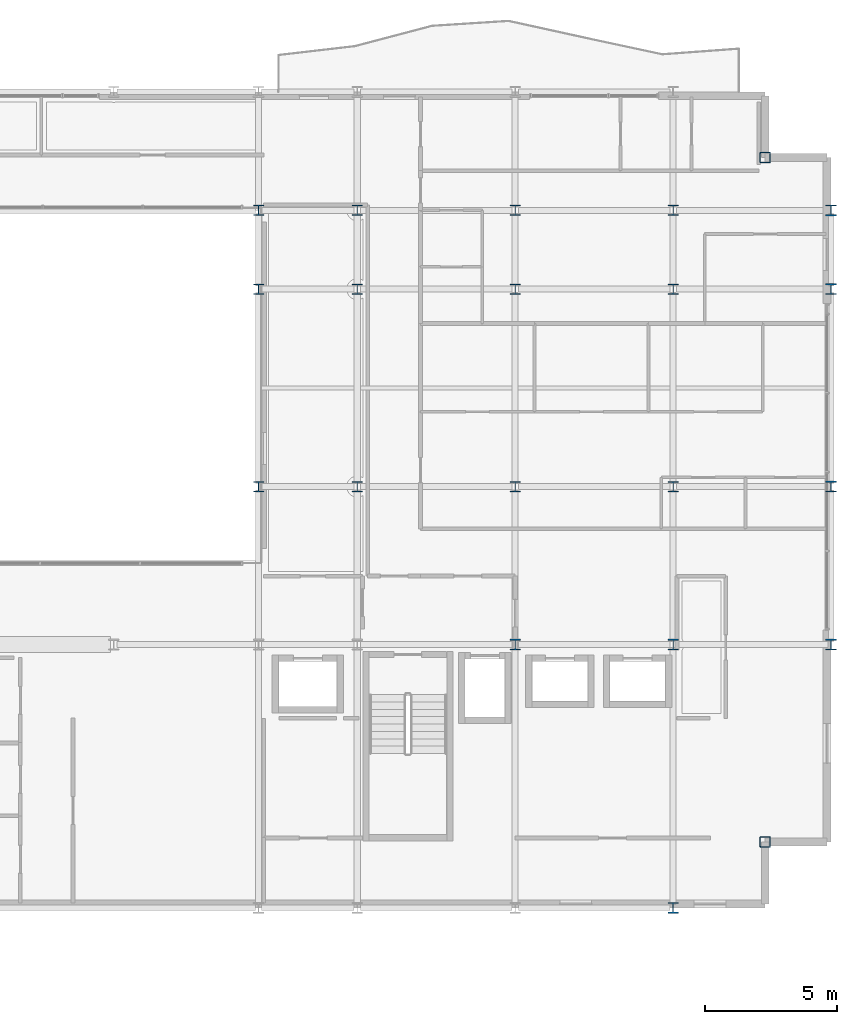
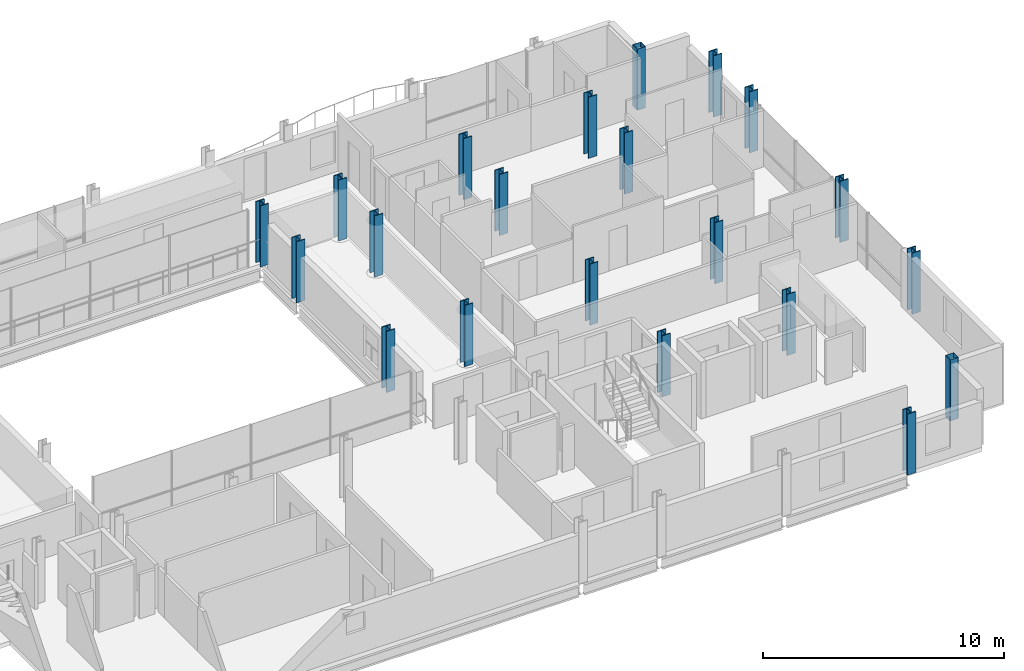
# One storey, part 2 of 41: 21 columns.
"""IFC4 building model written with IfcOpenShell, lengths in metres."""

import ifcopenshell
import ifcopenshell.guid

model = None  # the IFC model being written
_history = None  # IfcOwnerHistory: only IFC2X3 demands one
_inside = {}  # id of a spatial element -> (the spatial element, [elements in it])
_under = {}  # id of a project, library or spatial element -> (it, [spatial elements below it])
_declared = {}  # id of a project -> (the project, [libraries it declares])
_typed = {}  # id of a type object -> (the type object, [elements of that type])
_made_of = {}  # id of a material, layer set ... -> (it, [elements and type objects made of it])


def new_model(schema):
    """Start an empty IFC model of exactly this schema.

    Asked for "IFC4X3", IfcOpenShell would pick the latest addendum, in which some entities
    have other attributes; the version numbers below select the first issue.
    IFC2X3 requires an IfcOwnerHistory on every rooted entity: one is made here for all.
    """
    global model, _history
    if schema == "IFC4X3":
        model = ifcopenshell.file(schema_version=(4, 3, 0, 0))
    else:
        model = ifcopenshell.file(schema=schema)
    _inside.clear()
    _under.clear()
    _declared.clear()
    _typed.clear()
    _made_of.clear()
    _history = None
    if model.schema == "IFC2X3":
        org = make("IfcOrganization", Name="unknown")
        user = make(
            "IfcPersonAndOrganization",
            ThePerson=make("IfcPerson", FamilyName="unknown"),
            TheOrganization=org,
        )
        app = make(
            "IfcApplication",
            ApplicationDeveloper=org,
            Version="unknown",
            ApplicationFullName="unknown",
            ApplicationIdentifier="unknown",
        )
        _history = make(
            "IfcOwnerHistory",
            OwningUser=user,
            OwningApplication=app,
            ChangeAction="ADDED",
            CreationDate=0,
        )
    return model


def make(cls, **values):
    """One entity of the class cls with the attributes given. An attribute that is None is left unset."""
    return model.create_entity(
        cls, **{name: value for name, value in values.items() if value is not None}
    )


def rooted(cls, **values):
    """An entity with a GlobalId (a new one), such as an element, a storey or a relation."""
    return make(cls, GlobalId=ifcopenshell.guid.new(), OwnerHistory=_history, **values)


def si_unit(unit_type, name, prefix=None):
    """IfcSIUnit, for example si_unit("LENGTHUNIT", "METRE", prefix="MILLI")."""
    return make("IfcSIUnit", UnitType=unit_type, Prefix=prefix, Name=name)


def assignment(units):
    """IfcUnitAssignment: the units of a project."""
    return None if units is None else make("IfcUnitAssignment", Units=units)


def point(xyz):
    """IfcCartesianPoint."""
    return None if xyz is None else make("IfcCartesianPoint", Coordinates=xyz)


def direction(xyz):
    """IfcDirection."""
    return None if xyz is None else make("IfcDirection", DirectionRatios=xyz)


def frame(location, z_axis=None, x_axis=None):
    """IfcAxis2Placement3D, a coordinate frame: its origin and axes. An axis left out is left unset."""
    return make(
        "IfcAxis2Placement3D",
        Location=point(location),
        Axis=direction(z_axis),
        RefDirection=direction(x_axis),
    )


def frame_2d(location, x_axis=None):
    """IfcAxis2Placement2D, a coordinate frame in the plane: its origin and x axis."""
    return make(
        "IfcAxis2Placement2D", Location=point(location), RefDirection=direction(x_axis)
    )


def origin():
    """The frame at (0, 0, 0) with its axes left unset."""
    return frame((0.0, 0.0, 0.0))


def origin_2d():
    """The frame at (0, 0) in the plane with its x axis left unset."""
    return frame_2d((0.0, 0.0))


def place(relative_to, where):
    """IfcLocalPlacement: puts the frame where relative to a parent placement (None: the world)."""
    return make(
        "IfcLocalPlacement", PlacementRelTo=relative_to, RelativePlacement=where
    )


def context(
    kind, dimensions, precision=None, world=None, true_north=None, identifier=None
):
    """IfcGeometricRepresentationContext, for example the 3D "Model" context."""
    return make(
        "IfcGeometricRepresentationContext",
        ContextIdentifier=identifier,
        ContextType=kind,
        CoordinateSpaceDimension=dimensions,
        Precision=precision,
        WorldCoordinateSystem=world,
        TrueNorth=true_north,
    )


def subcontext(parent, identifier, kind, view, scale=None):
    """IfcGeometricRepresentationSubContext, for example "Body" below "Model"."""
    return make(
        "IfcGeometricRepresentationSubContext",
        ContextIdentifier=identifier,
        ContextType=kind,
        ParentContext=parent,
        TargetScale=scale,
        TargetView=view,
    )


def project(units=None, contexts=None):
    """IfcProject with its units and contexts."""
    return rooted(
        "IfcProject",
        Name="project",
        RepresentationContexts=contexts,
        UnitsInContext=assignment(units),
    )


def spatial(cls, under=None, at=None, **own):
    """A site, building, storey or space (cls), placed at a placement, below another one or the project."""
    s = rooted(cls, ObjectPlacement=at, **own)
    if under is not None:
        _under.setdefault(under.id(), (under, []))[1].append(s)
    return s


def profile(cls, at=None, kind="AREA", **sizes):
    """A parametric profile (cls). Its sizes go by their IFC names, for example OverallWidth=200.0."""
    return make(cls, ProfileType=kind, Position=at, **sizes)


def hollow_rectangle(**sizes):
    """IfcRectangleHollowProfileDef."""
    return profile("IfcRectangleHollowProfileDef", **sizes)


def i_section(**sizes):
    """IfcIShapeProfileDef."""
    return profile("IfcIShapeProfileDef", **sizes)


def extrude(swept, where, along, depth):
    """IfcExtrudedAreaSolid: the profile swept, set in the frame where, extruded along a direction by depth."""
    return make(
        "IfcExtrudedAreaSolid",
        SweptArea=swept,
        Position=where,
        ExtrudedDirection=direction(along),
        Depth=depth,
    )


def shape(context_of_items, identifier, shape_type, items):
    """IfcShapeRepresentation: the items that make up one representation, for example the "Body"."""
    return make(
        "IfcShapeRepresentation",
        ContextOfItems=context_of_items,
        RepresentationIdentifier=identifier,
        RepresentationType=shape_type,
        Items=items,
    )


def material(Name=None, Category=None):
    """IfcMaterial."""
    return make("IfcMaterial", Name=Name, Category=Category)


def material_profile(
    of_material, cross_section, Name=None, Category=None, Priority=None
):
    """IfcMaterialProfile: a cross section and its material."""
    return make(
        "IfcMaterialProfile",
        Name=Name,
        Material=of_material,
        Profile=cross_section,
        Priority=Priority,
        Category=Category,
    )


def profile_set(profiles, Name=None, composite=None):
    """IfcMaterialProfileSet."""
    return make(
        "IfcMaterialProfileSet",
        Name=Name,
        MaterialProfiles=profiles,
        CompositeProfile=composite,
    )


def made_of(thing, what):
    """Note that an element or type object is made of a material, layer set ...; save() writes the relation."""
    if what is not None:
        _made_of.setdefault(what.id(), (what, []))[1].append(thing)
    return thing


def type_object(cls, material=None, **own):
    """A type object (cls), such as IfcWallType, which elements share."""
    return made_of(rooted(cls, **own), material)


def element(
    cls,
    number,
    at=None,
    inside=None,
    cuts=None,
    type_object=None,
    material=None,
    context=None,
    identifier="Body",
    shape_type=None,
    held_by="IfcProductDefinitionShape",
    body=None,
    shapes=None,
    **own,
):
    """One element of the class cls, such as IfcWall. Its Tag is "e" and its number.

    at: its placement. inside: the storey or other place that contains it. cuts: it is an
    opening in that element (IfcRelVoidsElement). A single representation is given by context,
    identifier, shape_type and body (its items); several are given by shapes. held_by: the class
    of the entity that holds the representations. save() writes the other relations.
    """
    e = rooted(cls, Tag="e%d" % number, ObjectPlacement=at, **own)
    if body is not None:
        shapes = [shape(context, identifier, shape_type, body)]
    if shapes is not None:
        e.Representation = make(held_by, Representations=shapes)
    if inside is not None:
        _inside.setdefault(inside.id(), (inside, []))[1].append(e)
    if cuts is not None:
        rooted(
            "IfcRelVoidsElement", RelatingBuildingElement=cuts, RelatedOpeningElement=e
        )
    if type_object is not None:
        _typed.setdefault(type_object.id(), (type_object, []))[1].append(e)
    return made_of(e, material)


def aggregate(whole, parts):
    """IfcRelAggregates: a whole, such as a stair, and the parts it consists of."""
    return rooted("IfcRelAggregates", RelatingObject=whole, RelatedObjects=parts)


def save(model, path):
    """Write the relations noted so far, then the file.

    IfcRelAggregates (storeys below a building ...), IfcRelContainedInSpatialStructure (elements
    in a storey), IfcRelDefinesByType, IfcRelAssociatesMaterial and IfcRelDeclares: one each for
    every whole, place, type object, material and project.
    """
    for whole, parts in _under.values():
        aggregate(whole, parts)
    for where, things in _inside.values():
        rooted(
            "IfcRelContainedInSpatialStructure",
            RelatedElements=things,
            RelatingStructure=where,
        )
    for kind, things in _typed.values():
        rooted("IfcRelDefinesByType", RelatedObjects=things, RelatingType=kind)
    for what, things in _made_of.values():
        rooted("IfcRelAssociatesMaterial", RelatedObjects=things, RelatingMaterial=what)
    for by, libraries in _declared.values():
        rooted("IfcRelDeclares", RelatingContext=by, RelatedDefinitions=libraries)
    model.write(path)


model = new_model("IFC4")

# Units and contexts
model_context = context("Model", 3, precision=1e-05, world=origin(), true_north=direction((0.0, 1.0)))
body_context = subcontext(model_context, "Body", "Model", "MODEL_VIEW")
ifc_project = project(units=[si_unit("LENGTHUNIT", "METRE"), si_unit("AREAUNIT", "SQUARE_METRE"), si_unit("VOLUMEUNIT", "CUBIC_METRE"), si_unit("PLANEANGLEUNIT", "RADIAN"), si_unit("MASSUNIT", "GRAM", prefix="KILO")], contexts=[model_context])

# Site, building, storey
site_placement = place(None, origin())
site = spatial("IfcSite", under=ifc_project, at=site_placement, CompositionType="ELEMENT")
building_placement = place(site_placement, origin())
building = spatial("IfcBuilding", under=site, at=building_placement, Name="Brevholm Reach", CompositionType="ELEMENT")
storey_placement = place(building_placement, frame((0.0, 0.0, 163.5)))
storey = spatial("IfcBuildingStorey", under=building, at=storey_placement, Name="L49", CompositionType="ELEMENT", Elevation=163.5)

# Columns
ifc_material_1 = material(Name="Structural Steel S460NH", Category="steel")
ifc_material_profile_1 = material_profile(ifc_material_1, hollow_rectangle(XDim=0.39990234375, YDim=0.39990234375, WallThickness=0.02001953125, InnerFilletRadius=0.011962890625, OuterFilletRadius=0.02392578125, at=origin_2d()), Name="SHS 400x400x20")
ifc_profile_set_1 = profile_set([ifc_material_profile_1], Name="Structural Steel S460NH")
column_type_1 = type_object("IfcColumnType", Name="COL-SHS2", PredefinedType="COLUMN", material=ifc_profile_set_1)
for number, where, z_axis, x_axis, name in (
    (1, (57.5, 2.5, 0.0), (0.0, 0.0, 1.0), (1.0, 0.0, 0.0), "L49 Column 59"),
    (2, (57.5, 28.5, 0.0), (0.0, 0.0, 1.0), (1.0, 0.0, 0.0), "L49 Column 60"),
):
    element("IfcColumn", number, at=place(storey_placement, frame(where, z_axis=z_axis, x_axis=x_axis)), inside=storey, type_object=column_type_1, Name=name, PredefinedType="COLUMN", context=body_context, shape_type="SweptSolid", body=[
        extrude(hollow_rectangle(XDim=0.39990234375, YDim=0.39990234375, WallThickness=0.02001953125, InnerFilletRadius=0.011962890625, OuterFilletRadius=0.02392578125, at=origin_2d()), origin(), (0.0, 0.0, 1.0), 3.10009765625),
    ])
ifc_material_2 = material(Name="Structural Steel S355J2", Category="steel")
ifc_material_profile_2 = material_profile(ifc_material_2, i_section(OverallWidth=0.406982421875, OverallDepth=0.4189453125, WebThickness=0.030517578125, FlangeThickness=0.04931640625, FilletRadius=0.01513671875, at=origin_2d()), Name="UKC 356x406x393")
ifc_profile_set_2 = profile_set([ifc_material_profile_2], Name="Structural Steel S355J2")
column_type_2 = type_object("IfcColumnType", Name="COL-UC4", PredefinedType="COLUMN", material=ifc_profile_set_2)
for number, where, z_axis, x_axis, name in (
    (3, (54.0, 0.0, 0.0), (0.0, 0.0, 1.0), (1.0, 0.0, 0.0), "L49 Column 53"),
    (4, (60.0, 10.0, 0.0), (0.0, 0.0, 1.0), (1.0, 0.0, 0.0), "L49 Column 61"),
    (5, (60.0, 16.0, 0.0), (0.0, 0.0, 1.0), (1.0, 0.0, 0.0), "L49 Column 62"),
    (6, (60.0, 23.5, 0.0), (0.0, 0.0, 1.0), (1.0, 0.0, 0.0), "L49 Column 63"),
    (7, (60.0, 26.5, 0.0), (0.0, 0.0, 1.0), (1.0, 0.0, 0.0), "L49 Column 64"),
):
    element("IfcColumn", number, at=place(storey_placement, frame(where, z_axis=z_axis, x_axis=x_axis)), inside=storey, type_object=column_type_2, Name=name, PredefinedType="COLUMN", context=body_context, shape_type="SweptSolid", body=[
        extrude(i_section(OverallWidth=0.406982421875, OverallDepth=0.4189453125, WebThickness=0.030517578125, FlangeThickness=0.04931640625, FilletRadius=0.01513671875, at=origin_2d()), origin(), (0.0, 0.0, 1.0), 3.10009765625),
    ])
ifc_material_3 = material(Name="Structural Steel S355J2", Category="steel")
ifc_material_profile_3 = material_profile(ifc_material_3, i_section(OverallWidth=0.403076171875, OverallDepth=0.406494140625, WebThickness=0.026611328125, FlangeThickness=0.04296875, FilletRadius=0.01513671875, at=origin_2d()), Name="UKC 356x406x340")
ifc_profile_set_3 = profile_set([ifc_material_profile_3], Name="Structural Steel S355J2")
column_type_3 = type_object("IfcColumnType", Name="COL-UC5", PredefinedType="COLUMN", material=ifc_profile_set_3)
for number, where, z_axis, x_axis, name in (
    (8, (38.25, 16.0, 0.0), (0.0, 0.0, 1.0), (1.0, 0.0, 0.0), "L49 Column 37"),
    (9, (38.25, 23.5, 0.0), (0.0, 0.0, 1.0), (1.0, 0.0, 0.0), "L49 Column 38"),
    (10, (38.25, 26.5, 0.0), (0.0, 0.0, 1.0), (1.0, 0.0, 0.0), "L49 Column 39"),
    (11, (42.0, 16.0, 0.0), (0.0, 0.0, 1.0), (1.0, 0.0, 0.0), "L49 Column 43"),
    (12, (42.0, 23.5, 0.0), (0.0, 0.0, 1.0), (1.0, 0.0, 0.0), "L49 Column 44"),
    (13, (42.0, 26.5, 0.0), (0.0, 0.0, 1.0), (1.0, 0.0, 0.0), "L49 Column 45"),
    (14, (48.0, 10.0, 0.0), (0.0, 0.0, 1.0), (1.0, 0.0, 0.0), "L49 Column 48"),
    (15, (48.0, 16.0, 0.0), (0.0, 0.0, 1.0), (1.0, 0.0, 0.0), "L49 Column 49"),
    (16, (48.0, 23.5, 0.0), (0.0, 0.0, 1.0), (1.0, 0.0, 0.0), "L49 Column 50"),
    (17, (48.0, 26.5, 0.0), (0.0, 0.0, 1.0), (1.0, 0.0, 0.0), "L49 Column 51"),
    (18, (54.0, 10.0, 0.0), (0.0, 0.0, 1.0), (1.0, 0.0, 0.0), "L49 Column 54"),
    (19, (54.0, 16.0, 0.0), (0.0, 0.0, 1.0), (1.0, 0.0, 0.0), "L49 Column 55"),
    (20, (54.0, 23.5, 0.0), (0.0, 0.0, 1.0), (1.0, 0.0, 0.0), "L49 Column 56"),
    (21, (54.0, 26.5, 0.0), (0.0, 0.0, 1.0), (1.0, 0.0, 0.0), "L49 Column 57"),
):
    element("IfcColumn", number, at=place(storey_placement, frame(where, z_axis=z_axis, x_axis=x_axis)), inside=storey, type_object=column_type_3, Name=name, PredefinedType="COLUMN", context=body_context, shape_type="SweptSolid", body=[
        extrude(i_section(OverallWidth=0.403076171875, OverallDepth=0.406494140625, WebThickness=0.026611328125, FlangeThickness=0.04296875, FilletRadius=0.01513671875, at=origin_2d()), origin(), (0.0, 0.0, 1.0), 3.10009765625),
    ])

save(model, "model.ifc")
